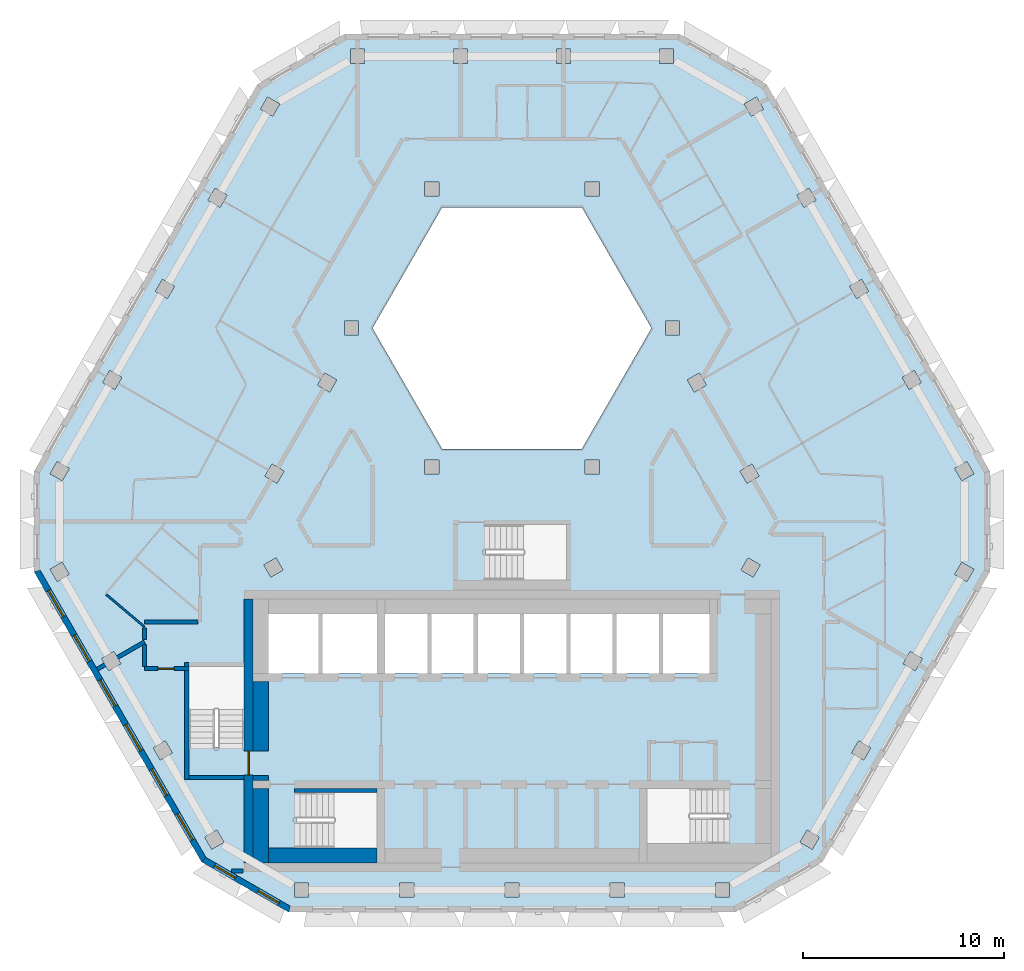
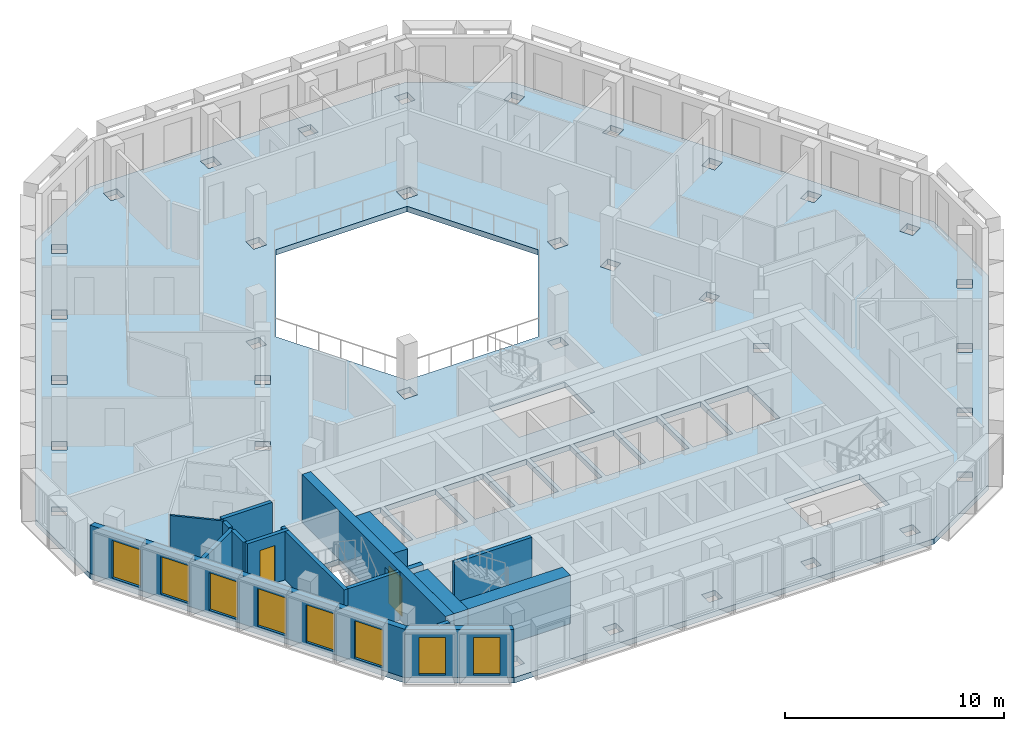
# One storey, part 2 of 16: 17 walls, 8 windows, 2 doors, 1 slab, 10 openings.
"""IFC4 building model written with IfcOpenShell, lengths in metres."""

from ifc_helpers import new_model, si_unit, direction, frame, frame_2d, origin, place, context, subcontext, project, spatial, polyline, rectangle, outline, extrude, material, layer, layer_set, type_object, element, fill, save


model = new_model("IFC4")

# Units and contexts
model_context = context("Model", 3, precision=1e-05, world=origin(), true_north=direction((0.0, 1.0)))
body_context = subcontext(model_context, "Body", "Model", "MODEL_VIEW")
ifc_project = project(units=[si_unit("LENGTHUNIT", "METRE"), si_unit("AREAUNIT", "SQUARE_METRE"), si_unit("VOLUMEUNIT", "CUBIC_METRE"), si_unit("PLANEANGLEUNIT", "RADIAN"), si_unit("MASSUNIT", "GRAM", prefix="KILO")], contexts=[model_context])

# Site, building, storey
site_placement = place(None, origin())
site = spatial("IfcSite", under=ifc_project, at=site_placement, CompositionType="ELEMENT")
building_placement = place(site_placement, origin())
building = spatial("IfcBuilding", under=site, at=building_placement, Name="Beryl Residences", CompositionType="ELEMENT")
storey_placement = place(building_placement, frame((0.0, 0.0, 226.800048828125)))
storey = spatial("IfcBuildingStorey", under=building, at=storey_placement, Name="L70", CompositionType="ELEMENT", Elevation=226.800048828125)

# Slab
ifc_material_1 = material(Name="Concrete C40/50", Category="concrete")
ifc_layer_1 = layer(ifc_material_1, 0.300048828125)
ifc_layer_set_1 = layer_set([ifc_layer_1], Name="SL7 PT floor slab 300 mm C40/50")
slab_type = type_object("IfcSlabType", Name="SL7 PT floor slab 300 mm C40/50", PredefinedType="FLOOR", material=ifc_layer_set_1)
slab_placement = place(storey_placement, frame((0.0, 0.0, -0.300048828125)))
element("IfcSlab", 1, at=slab_placement, inside=storey, type_object=slab_type, Name="L70 slab 1", PredefinedType="FLOOR", context=body_context, shape_type="SweptSolid", body=[
    extrude(outline(polyline([(23.72900390625, -4.10009765625), (15.4150390625, -18.5), (11.0849609375, -21.0), (-11.0849609375, -21.0), (-15.4150390625, -18.5), (-23.72900390625, -4.10009765625), (-23.72900390625, 0.89990234375), (-12.64404296875, 20.10009765625), (-8.31396484375, 22.60009765625), (8.31396484375, 22.60009765625), (12.64404296875, 20.10009765625), (23.72900390625, 0.89990234375), (23.72900390625, -4.10009765625)]), holes=[polyline([(21.97998046875, 1.028076171875), (22.330078125, 0.422119140625), (22.93603515625, 0.77197265625), (22.5859375, 1.3779296875), (21.97998046875, 1.028076171875)]), polyline([(21.97998046875, -4.22900390625), (22.5859375, -4.5791015625), (22.93603515625, -3.972900390625), (22.330078125, -3.623046875), (21.97998046875, -4.22900390625)]), polyline([(19.77099609375, -8.055908203125), (19.4208984375, -8.662109375), (20.027099609375, -9.011962890625), (20.376953125, -8.406005859375), (19.77099609375, -8.055908203125)]), polyline([(19.367919921875, 5.552978515625), (19.718017578125, 4.947021484375), (20.323974609375, 5.297119140625), (19.97412109375, 5.903076171875), (19.367919921875, 5.552978515625)]), polyline([(17.2109375, -12.489013671875), (16.861083984375, -13.094970703125), (17.467041015625, -13.445068359375), (17.81689453125, -12.839111328125), (17.2109375, -12.489013671875)]), polyline([(17.361083984375, 10.427978515625), (16.7548828125, 10.077880859375), (17.10498046875, 9.471923828125), (17.7109375, 9.822021484375), (17.361083984375, 10.427978515625)]), polyline([(15.258056640625, -17.27197265625), (14.652099609375, -16.922119140625), (14.302001953125, -17.528076171875), (14.907958984375, -17.8779296875), (15.258056640625, -17.27197265625)]), polyline([(14.14306640625, 14.60302734375), (14.492919921875, 13.9970703125), (15.09912109375, 14.346923828125), (14.7490234375, 14.952880859375), (14.14306640625, 14.60302734375)]), polyline([(11.531005859375, 19.1279296875), (11.881103515625, 18.52197265625), (12.487060546875, 18.8720703125), (12.136962890625, 19.47802734375), (11.531005859375, 19.1279296875)]), polyline([(11.717041015625, -3.406005859375), (11.366943359375, -4.011962890625), (11.972900390625, -4.362060546875), (12.322998046875, -3.756103515625), (11.717041015625, -3.406005859375)]), polyline([(11.919921875, 1.2529296875), (11.31396484375, 0.903076171875), (11.6640625, 0.297119140625), (12.27001953125, 0.64697265625), (11.919921875, 1.2529296875)]), polyline([(10.800048828125, -19.550048828125), (10.10009765625, -19.550048828125), (10.10009765625, -20.25), (10.800048828125, -20.25), (10.800048828125, -19.550048828125)]), polyline([(6.699951171875, -14.85009765625), (6.699951171875, -17.60009765625), (10.699951171875, -17.60009765625), (10.699951171875, -14.85009765625), (6.699951171875, -14.85009765625)]), polyline([(7.5, -9.14990234375), (9.800048828125, -9.14990234375), (9.800048828125, -6.199951171875), (7.5, -6.199951171875), (7.5, -9.14990234375)]), polyline([(8.700927734375, 5.427978515625), (9.051025390625, 4.822021484375), (9.656982421875, 5.172119140625), (9.306884765625, 5.778076171875), (8.700927734375, 5.427978515625)]), polyline([(8.31689453125, 7.64990234375), (8.31689453125, 8.35009765625), (7.616943359375, 8.35009765625), (7.616943359375, 7.64990234375), (8.31689453125, 7.64990234375)]), polyline([(7.3291015625, 21.85009765625), (7.3291015625, 21.14990234375), (8.029052734375, 21.14990234375), (8.029052734375, 21.85009765625), (7.3291015625, 21.85009765625)]), polyline([(5.199951171875, -9.14990234375), (7.300048828125, -9.14990234375), (7.300048828125, -6.199951171875), (5.199951171875, -6.199951171875), (5.199951171875, -9.14990234375)]), polyline([(3.464111328125, 14.0), (-3.464111328125, 14.0), (-6.92822265625, 8.0), (-3.464111328125, 2.0), (3.464111328125, 2.0), (6.92822265625, 8.0), (3.464111328125, 14.0)]), polyline([(4.875, -19.550048828125), (4.875, -20.25), (5.574951171875, -20.25), (5.574951171875, -19.550048828125), (4.875, -19.550048828125)]), polyline([(2.89990234375, -9.14990234375), (5.0, -9.14990234375), (5.0, -6.199951171875), (2.89990234375, -6.199951171875), (2.89990234375, -9.14990234375)]), polyline([(4.333984375, 15.25), (3.634033203125, 15.25), (3.634033203125, 14.550048828125), (4.333984375, 14.550048828125), (4.333984375, 15.25)]), polyline([(4.333984375, 1.449951171875), (3.634033203125, 1.449951171875), (3.634033203125, 0.75), (4.333984375, 0.75), (4.333984375, 1.449951171875)]), polyline([(2.2099609375, 21.85009765625), (2.2099609375, 21.14990234375), (2.909912109375, 21.14990234375), (2.909912109375, 21.85009765625), (2.2099609375, 21.85009765625)]), polyline([(2.699951171875, -9.14990234375), (2.699951171875, -6.199951171875), (0.60009765625, -6.199951171875), (0.60009765625, -9.14990234375), (2.699951171875, -9.14990234375)]), polyline([(2.699951171875, -4.5), (2.699951171875, -1.75), (-1.300048828125, -1.75), (-1.300048828125, -4.5), (2.699951171875, -4.5)]), polyline([(0.39990234375, -6.199951171875), (-1.699951171875, -6.199951171875), (-1.699951171875, -9.14990234375), (0.39990234375, -9.14990234375), (0.39990234375, -6.199951171875)]), polyline([(0.35009765625, -19.550048828125), (-0.35009765625, -19.550048828125), (-0.35009765625, -20.25), (0.35009765625, -20.25), (0.35009765625, -19.550048828125)]), polyline([(-4.0, -9.14990234375), (-1.89990234375, -9.14990234375), (-1.89990234375, -6.199951171875), (-4.0, -6.199951171875), (-4.0, -9.14990234375)]), polyline([(-2.908935546875, 21.14990234375), (-2.208984375, 21.14990234375), (-2.208984375, 21.85009765625), (-2.908935546875, 21.85009765625), (-2.908935546875, 21.14990234375)]), polyline([(-3.634033203125, 15.25), (-4.333984375, 15.25), (-4.333984375, 14.550048828125), (-3.634033203125, 14.550048828125), (-3.634033203125, 15.25)]), polyline([(-4.333984375, 1.449951171875), (-4.333984375, 0.75), (-3.634033203125, 0.75), (-3.634033203125, 1.449951171875), (-4.333984375, 1.449951171875)]), polyline([(-6.300048828125, -9.14990234375), (-4.199951171875, -9.14990234375), (-4.199951171875, -6.199951171875), (-6.300048828125, -6.199951171875), (-6.300048828125, -9.14990234375)]), polyline([(-4.875, -19.550048828125), (-5.574951171875, -19.550048828125), (-5.574951171875, -20.25), (-4.875, -20.25), (-4.875, -19.550048828125)]), polyline([(-9.39990234375, -6.199951171875), (-9.39990234375, -9.14990234375), (-6.699951171875, -9.14990234375), (-6.699951171875, -6.199951171875), (-9.39990234375, -6.199951171875)]), polyline([(-10.699951171875, -15.050048828125), (-10.699951171875, -17.800048828125), (-6.699951171875, -17.800048828125), (-6.699951171875, -15.050048828125), (-10.699951171875, -15.050048828125)]), polyline([(-8.028076171875, 21.14990234375), (-7.327880859375, 21.14990234375), (-7.327880859375, 21.85009765625), (-8.028076171875, 21.85009765625), (-8.028076171875, 21.14990234375)]), polyline([(-7.616943359375, 7.64990234375), (-7.616943359375, 8.35009765625), (-8.31689453125, 8.35009765625), (-8.31689453125, 7.64990234375), (-7.616943359375, 7.64990234375)]), polyline([(-9.051025390625, 4.822021484375), (-8.700927734375, 5.427978515625), (-9.306884765625, 5.778076171875), (-9.656982421875, 5.172119140625), (-9.051025390625, 4.822021484375)]), polyline([(-12.10009765625, -9.14990234375), (-9.60009765625, -9.14990234375), (-9.60009765625, -6.199951171875), (-12.10009765625, -6.199951171875), (-12.10009765625, -9.14990234375)]), polyline([(-10.800048828125, -19.550048828125), (-10.800048828125, -20.25), (-10.10009765625, -20.25), (-10.10009765625, -19.550048828125), (-10.800048828125, -19.550048828125)]), polyline([(-12.27001953125, 0.64697265625), (-11.6640625, 0.297119140625), (-11.31396484375, 0.903076171875), (-11.919921875, 1.2529296875), (-12.27001953125, 0.64697265625)]), polyline([(-11.972900390625, -4.361083984375), (-11.366943359375, -4.010986328125), (-11.717041015625, -3.405029296875), (-12.322998046875, -3.7548828125), (-11.972900390625, -4.361083984375)]), polyline([(-12.487060546875, 18.8720703125), (-11.881103515625, 18.52197265625), (-11.531005859375, 19.1279296875), (-12.136962890625, 19.47802734375), (-12.487060546875, 18.8720703125)]), polyline([(-13.300048828125, -8.800048828125), (-16.050048828125, -8.800048828125), (-16.050048828125, -12.800048828125), (-13.300048828125, -12.800048828125), (-13.300048828125, -8.800048828125)]), polyline([(-14.14306640625, 14.60302734375), (-14.7490234375, 14.952880859375), (-15.09912109375, 14.346923828125), (-14.492919921875, 13.9970703125), (-14.14306640625, 14.60302734375)]), polyline([(-14.302978515625, -17.527099609375), (-14.653076171875, -16.9208984375), (-15.259033203125, -17.27099609375), (-14.908935546875, -17.876953125), (-14.302978515625, -17.527099609375)]), polyline([(-17.10498046875, 9.471923828125), (-16.7548828125, 10.077880859375), (-17.361083984375, 10.427978515625), (-17.7109375, 9.822021484375), (-17.10498046875, 9.471923828125)]), polyline([(-17.2119140625, -12.488037109375), (-17.818115234375, -12.837890625), (-17.468017578125, -13.444091796875), (-16.862060546875, -13.093994140625), (-17.2119140625, -12.488037109375)]), polyline([(-19.718017578125, 4.947021484375), (-19.367919921875, 5.552978515625), (-19.97412109375, 5.903076171875), (-20.323974609375, 5.297119140625), (-19.718017578125, 4.947021484375)]), polyline([(-19.4208984375, -8.660888671875), (-19.77099609375, -8.054931640625), (-20.376953125, -8.405029296875), (-20.027099609375, -9.010986328125), (-19.4208984375, -8.660888671875)]), polyline([(-22.330078125, 0.422119140625), (-21.97998046875, 1.028076171875), (-22.5859375, 1.3779296875), (-22.93603515625, 0.77197265625), (-22.330078125, 0.422119140625)]), polyline([(-21.98095703125, -4.22802734375), (-22.3310546875, -3.6220703125), (-22.93701171875, -3.971923828125), (-22.5869140625, -4.577880859375), (-21.98095703125, -4.22802734375)])]), origin(), (0.0, 0.0, 1.0), 0.300048828125),
])

# Wall, openings, windows
ifc_material_2 = material(Name="Composite metal panel with mineral wool insulation")
ifc_layer_2 = layer(ifc_material_2, 0.300048828125)
ifc_layer_set_2 = layer_set([ifc_layer_2], Name="ES1 pale metal composite panel wall 300 mm")
wall_type_1 = type_object("IfcWallType", Name="ES1 pale metal composite panel wall 300 mm", PredefinedType="SOLIDWALL", material=ifc_layer_set_2)
wall_1_placement = place(storey_placement, frame((-23.59912109375, -4.02490234375, 0.0), z_axis=(0.0, 0.0, 1.0), x_axis=(0.500012653391, -0.866018098222, 0.0)))
wall_1 = element("IfcWall", 2, at=wall_1_placement, inside=storey, type_object=wall_type_1, Name="ES1 external wall L70 SW", PredefinedType="SOLIDWALL", context=body_context, shape_type="SweptSolid", body=[
    extrude(outline(polyline([(0.0, -0.14990234375), (16.6279296875, -0.14990234375), (16.547607421875, 0.14990234375), (0.080322265625, 0.14990234375), (0.0, -0.14990234375)])), origin(), (0.0, 0.0, 1.0), 2.699951171875),
])
opening_1_placement = place(wall_1_placement, frame((1.1640625, 0.0, 0.14990234375)))
opening_1 = element("IfcOpeningElement", 3, at=opening_1_placement, cuts=wall_1, Name="Opening W1", PredefinedType="OPENING", context=body_context, shape_type="SweptSolid", body=[
    extrude(rectangle(XDim=1.5, YDim=2.10009765625, at=frame_2d((0.75, 1.050048828125))), frame((0.0, 0.159912109375, 0.0), z_axis=(0.0, -1.0, 0.0), x_axis=(1.0, 0.0, 0.0)), (0.0, 0.0, 1.0), 0.320068359375),
])
opening_2_placement = place(wall_1_placement, frame((3.72412109375, 0.0, 0.14990234375)))
opening_2 = element("IfcOpeningElement", 4, at=opening_2_placement, cuts=wall_1, Name="Opening W1", PredefinedType="OPENING", context=body_context, shape_type="SweptSolid", body=[
    extrude(rectangle(XDim=1.5, YDim=2.10009765625, at=frame_2d((0.75, 1.050048828125))), frame((0.0, 0.159912109375, 0.0), z_axis=(0.0, -1.0, 0.0), x_axis=(1.0, 0.0, 0.0)), (0.0, 0.0, 1.0), 0.320068359375),
])
opening_3_placement = place(wall_1_placement, frame((6.282958984375, 0.0, 0.14990234375)))
opening_3 = element("IfcOpeningElement", 5, at=opening_3_placement, cuts=wall_1, Name="Opening W1", PredefinedType="OPENING", context=body_context, shape_type="SweptSolid", body=[
    extrude(rectangle(XDim=1.5, YDim=2.10009765625, at=frame_2d((0.75, 1.050048828125))), frame((0.0, 0.159912109375, 0.0), z_axis=(0.0, -1.0, 0.0), x_axis=(1.0, 0.0, 0.0)), (0.0, 0.0, 1.0), 0.320068359375),
])
opening_4_placement = place(wall_1_placement, frame((8.843017578125, 0.0, 0.14990234375)))
opening_4 = element("IfcOpeningElement", 6, at=opening_4_placement, cuts=wall_1, Name="Opening W1", PredefinedType="OPENING", context=body_context, shape_type="SweptSolid", body=[
    extrude(rectangle(XDim=1.5, YDim=2.10009765625, at=frame_2d((0.75, 1.050048828125))), frame((0.0, 0.159912109375, 0.0), z_axis=(0.0, -1.0, 0.0), x_axis=(1.0, 0.0, 0.0)), (0.0, 0.0, 1.0), 0.320068359375),
])
opening_5_placement = place(wall_1_placement, frame((11.403076171875, 0.0, 0.14990234375)))
opening_5 = element("IfcOpeningElement", 7, at=opening_5_placement, cuts=wall_1, Name="Opening W1", PredefinedType="OPENING", context=body_context, shape_type="SweptSolid", body=[
    extrude(rectangle(XDim=1.5, YDim=2.10009765625, at=frame_2d((0.75, 1.050048828125))), frame((0.0, 0.159912109375, 0.0), z_axis=(0.0, -1.0, 0.0), x_axis=(1.0, 0.0, 0.0)), (0.0, 0.0, 1.0), 0.320068359375),
])
opening_6_placement = place(wall_1_placement, frame((13.9619140625, 0.0, 0.14990234375)))
opening_6 = element("IfcOpeningElement", 8, at=opening_6_placement, cuts=wall_1, Name="Opening W1", PredefinedType="OPENING", context=body_context, shape_type="SweptSolid", body=[
    extrude(rectangle(XDim=1.5, YDim=2.10009765625, at=frame_2d((0.75, 1.050048828125))), frame((0.0, 0.159912109375, 0.0), z_axis=(0.0, -1.0, 0.0), x_axis=(1.0, 0.0, 0.0)), (0.0, 0.0, 1.0), 0.320068359375),
])
ifc_material_3 = material(Name="Aluminium and clear glass", Category="aluminium")
window_type_1 = type_object("IfcWindowType", Name="W1 cell window 1500 x 2100 mm", PartitioningType="SINGLE_PANEL", PredefinedType="WINDOW", material=ifc_material_3)
window_1_placement = place(opening_1_placement, origin())
window_1 = element("IfcWindow", 9, at=window_1_placement, inside=storey, type_object=window_type_1, Name="W1 window L70 SW 1", OverallHeight=2.10009765625, OverallWidth=1.5, PartitioningType="SINGLE_PANEL", PredefinedType="WINDOW", context=body_context, shape_type="SweptSolid", body=[
    extrude(rectangle(XDim=1.5, YDim=2.10009765625, at=frame_2d((0.75, 1.050048828125))), frame((0.0, 0.030029296875, 0.0), z_axis=(0.0, -1.0, 0.0), x_axis=(1.0, 0.0, 0.0)), (0.0, 0.0, 1.0), 0.06005859375),
])
fill(opening_1, window_1)
window_2_placement = place(opening_2_placement, origin())
window_2 = element("IfcWindow", 10, at=window_2_placement, inside=storey, type_object=window_type_1, Name="W1 window L70 SW 2", OverallHeight=2.10009765625, OverallWidth=1.5, PartitioningType="SINGLE_PANEL", PredefinedType="WINDOW", context=body_context, shape_type="SweptSolid", body=[
    extrude(rectangle(XDim=1.5, YDim=2.10009765625, at=frame_2d((0.75, 1.050048828125))), frame((0.0, 0.030029296875, 0.0), z_axis=(0.0, -1.0, 0.0), x_axis=(1.0, 0.0, 0.0)), (0.0, 0.0, 1.0), 0.06005859375),
])
fill(opening_2, window_2)
window_3_placement = place(opening_3_placement, origin())
window_3 = element("IfcWindow", 11, at=window_3_placement, inside=storey, type_object=window_type_1, Name="W1 window L70 SW 3", OverallHeight=2.10009765625, OverallWidth=1.5, PartitioningType="SINGLE_PANEL", PredefinedType="WINDOW", context=body_context, shape_type="SweptSolid", body=[
    extrude(rectangle(XDim=1.5, YDim=2.10009765625, at=frame_2d((0.75, 1.050048828125))), frame((0.0, 0.030029296875, 0.0), z_axis=(0.0, -1.0, 0.0), x_axis=(1.0, 0.0, 0.0)), (0.0, 0.0, 1.0), 0.06005859375),
])
fill(opening_3, window_3)
window_4_placement = place(opening_4_placement, origin())
window_4 = element("IfcWindow", 12, at=window_4_placement, inside=storey, type_object=window_type_1, Name="W1 window L70 SW 4", OverallHeight=2.10009765625, OverallWidth=1.5, PartitioningType="SINGLE_PANEL", PredefinedType="WINDOW", context=body_context, shape_type="SweptSolid", body=[
    extrude(rectangle(XDim=1.5, YDim=2.10009765625, at=frame_2d((0.75, 1.050048828125))), frame((0.0, 0.030029296875, 0.0), z_axis=(0.0, -1.0, 0.0), x_axis=(1.0, 0.0, 0.0)), (0.0, 0.0, 1.0), 0.06005859375),
])
fill(opening_4, window_4)
window_5_placement = place(opening_5_placement, origin())
window_5 = element("IfcWindow", 13, at=window_5_placement, inside=storey, type_object=window_type_1, Name="W1 window L70 SW 5", OverallHeight=2.10009765625, OverallWidth=1.5, PartitioningType="SINGLE_PANEL", PredefinedType="WINDOW", context=body_context, shape_type="SweptSolid", body=[
    extrude(rectangle(XDim=1.5, YDim=2.10009765625, at=frame_2d((0.75, 1.050048828125))), frame((0.0, 0.030029296875, 0.0), z_axis=(0.0, -1.0, 0.0), x_axis=(1.0, 0.0, 0.0)), (0.0, 0.0, 1.0), 0.06005859375),
])
fill(opening_5, window_5)
window_6_placement = place(opening_6_placement, origin())
window_6 = element("IfcWindow", 14, at=window_6_placement, inside=storey, type_object=window_type_1, Name="W1 window L70 SW 6", OverallHeight=2.10009765625, OverallWidth=1.5, PartitioningType="SINGLE_PANEL", PredefinedType="WINDOW", context=body_context, shape_type="SweptSolid", body=[
    extrude(rectangle(XDim=1.5, YDim=2.10009765625, at=frame_2d((0.75, 1.050048828125))), frame((0.0, 0.030029296875, 0.0), z_axis=(0.0, -1.0, 0.0), x_axis=(1.0, 0.0, 0.0)), (0.0, 0.0, 1.0), 0.06005859375),
])
fill(opening_6, window_6)

wall_2_placement = place(storey_placement, frame((-15.340087890625, -18.3701171875, 0.0), z_axis=(0.0, 0.0, 1.0), x_axis=(0.866022959057, -0.500004234368, 0.0)))
wall_2 = element("IfcWall", 15, at=wall_2_placement, inside=storey, type_object=wall_type_1, Name="ES1 external wall L70 SW-S", PredefinedType="SOLIDWALL", context=body_context, shape_type="SweptSolid", body=[
    extrude(outline(polyline([(0.0, -0.14990234375), (5.0, -0.14990234375), (4.919677734375, 0.14990234375), (0.080322265625, 0.14990234375), (0.0, -0.14990234375)])), origin(), (0.0, 0.0, 1.0), 2.699951171875),
])
opening_7_placement = place(wall_2_placement, frame((0.64990234375, 0.0, 0.14990234375)))
opening_7 = element("IfcOpeningElement", 16, at=opening_7_placement, cuts=wall_2, Name="Opening W2", PredefinedType="OPENING", context=body_context, shape_type="SweptSolid", body=[
    extrude(rectangle(XDim=1.199951171875, YDim=2.10009765625, at=frame_2d((0.60009765625, 1.050048828125))), frame((0.0, 0.159912109375, 0.0), z_axis=(0.0, -1.0, 0.0), x_axis=(1.0, 0.0, 0.0)), (0.0, 0.0, 1.0), 0.320068359375),
])
opening_8_placement = place(wall_2_placement, frame((3.14990234375, 0.0, 0.14990234375)))
opening_8 = element("IfcOpeningElement", 17, at=opening_8_placement, cuts=wall_2, Name="Opening W2", PredefinedType="OPENING", context=body_context, shape_type="SweptSolid", body=[
    extrude(rectangle(XDim=1.199951171875, YDim=2.10009765625, at=frame_2d((0.60009765625, 1.050048828125))), frame((0.0, 0.159912109375, 0.0), z_axis=(0.0, -1.0, 0.0), x_axis=(1.0, 0.0, 0.0)), (0.0, 0.0, 1.0), 0.320068359375),
])
ifc_material_4 = material(Name="Aluminium and clear glass", Category="aluminium")
window_type_2 = type_object("IfcWindowType", Name="W2 chamfer window 1200 x 2100 mm", PartitioningType="SINGLE_PANEL", PredefinedType="WINDOW", material=ifc_material_4)
window_7_placement = place(opening_7_placement, origin())
window_7 = element("IfcWindow", 18, at=window_7_placement, inside=storey, type_object=window_type_2, Name="W2 window L70 SW-S 1", OverallHeight=2.10009765625, OverallWidth=1.199951171875, PartitioningType="SINGLE_PANEL", PredefinedType="WINDOW", context=body_context, shape_type="SweptSolid", body=[
    extrude(rectangle(XDim=1.199951171875, YDim=2.10009765625, at=frame_2d((0.60009765625, 1.050048828125))), frame((0.0, 0.030029296875, 0.0), z_axis=(0.0, -1.0, 0.0), x_axis=(1.0, 0.0, 0.0)), (0.0, 0.0, 1.0), 0.06005859375),
])
fill(opening_7, window_7)
window_8_placement = place(opening_8_placement, origin())
window_8 = element("IfcWindow", 19, at=window_8_placement, inside=storey, type_object=window_type_2, Name="W2 window L70 SW-S 2", OverallHeight=2.10009765625, OverallWidth=1.199951171875, PartitioningType="SINGLE_PANEL", PredefinedType="WINDOW", context=body_context, shape_type="SweptSolid", body=[
    extrude(rectangle(XDim=1.199951171875, YDim=2.10009765625, at=frame_2d((0.60009765625, 1.050048828125))), frame((0.0, 0.030029296875, 0.0), z_axis=(0.0, -1.0, 0.0), x_axis=(1.0, 0.0, 0.0)), (0.0, 0.0, 1.0), 0.06005859375),
])
fill(opening_8, window_8)

# Walls
ifc_material_5 = material(Name="Gypsum board partition on steel studs", Category="steel")
ifc_layer_3 = layer(ifc_material_5, 0.10009765625)
ifc_layer_set_3 = layer_set([ifc_layer_3], Name="PT1 partition 100 mm gypsum board on steel studs")
wall_type_2 = type_object("IfcWallType", Name="PT1 partition 100 mm gypsum board on steel studs", PredefinedType="PARTITIONING", material=ifc_layer_set_3)
wall_3_placement = place(storey_placement, frame((-20.14990234375, -5.222900390625, 0.0), z_axis=(0.0, 0.0, 1.0), x_axis=(0.763471868926, -0.645841083672, 0.0)))
element("IfcWall", 20, at=wall_3_placement, inside=storey, type_object=wall_type_2, Name="Wall PT1 L70 019", PredefinedType="PARTITIONING", context=body_context, shape_type="SweptSolid", body=[
    extrude(rectangle(XDim=2.488525390625, YDim=0.10009765625, at=frame_2d((1.244140625, 0.0))), origin(), (0.0, 0.0, 1.0), 2.699951171875),
])
ifc_material_6 = material(Name="Concrete masonry", Category="masonry")
ifc_layer_4 = layer(ifc_material_6, 0.25)
ifc_layer_set_4 = layer_set([ifc_layer_4], Name="PT13-250 lobby wall 250 mm")
wall_type_3 = type_object("IfcWallType", Name="PT13-250 lobby wall 250 mm", PredefinedType="PARTITIONING", material=ifc_layer_set_4)
wall_4_placement = place(storey_placement, frame((-12.85009765625, -14.324951171875, 0.0), z_axis=(0.0, 0.0, 1.0), x_axis=(1.0, 0.0, 0.0)))
element("IfcWall", 21, at=wall_4_placement, inside=storey, type_object=wall_type_3, Name="Lobby wall 05", PredefinedType="PARTITIONING", context=body_context, shape_type="SweptSolid", body=[
    extrude(rectangle(XDim=0.75, YDim=0.25, at=frame_2d((0.375, 0.0))), origin(), (0.0, 0.0, 1.0), 2.699951171875),
])
ifc_material_7 = material(Name="Concrete masonry", Category="masonry")
ifc_layer_5 = layer(ifc_material_7, 0.75)
ifc_layer_set_5 = layer_set([ifc_layer_5], Name="PT13-750 lobby wall 750 mm")
wall_type_4 = type_object("IfcWallType", Name="PT13-750 lobby wall 750 mm", PredefinedType="PARTITIONING", material=ifc_layer_set_5)
wall_5_placement = place(storey_placement, frame((-12.47509765625, -13.0, 0.0), z_axis=(0.0, 0.0, 1.0), x_axis=(0.0, 1.0, 0.0)))
element("IfcWall", 22, at=wall_5_placement, inside=storey, type_object=wall_type_4, Name="Lobby wall 06", PredefinedType="PARTITIONING", context=body_context, shape_type="SweptSolid", body=[
    extrude(rectangle(XDim=3.449951171875, YDim=0.75, at=frame_2d((1.72509765625, 0.0))), origin(), (0.0, 0.0, 1.0), 2.699951171875),
])
ifc_material_8 = material(Name="Acoustic double stud gypsum board wall")
ifc_layer_6 = layer(ifc_material_8, 0.199951171875)
ifc_layer_set_6 = layer_set([ifc_layer_6], Name="PT3 party wall 200 mm acoustic double stud")
wall_type_5 = type_object("IfcWallType", Name="PT3 party wall 200 mm acoustic double stud", PredefinedType="PARTITIONING", material=ifc_layer_set_6)
wall_6_placement = place(storey_placement, frame((-13.9150390625, -18.949951171875, 0.0), z_axis=(0.0, 0.0, 1.0), x_axis=(1.0, 0.0, 0.0)))
element("IfcWall", 23, at=wall_6_placement, inside=storey, type_object=wall_type_5, Name="Wall PT3 L70 009", PredefinedType="PARTITIONING", context=body_context, shape_type="SweptSolid", body=[
    extrude(rectangle(XDim=0.554931640625, YDim=0.199951171875, at=frame_2d((0.27734375, 0.0))), origin(), (0.0, 0.0, 1.0), 2.699951171875),
])
wall_7_placement = place(storey_placement, frame((-20.592041015625, -8.93310546875, 0.0), z_axis=(0.0, 0.0, 1.0), x_axis=(0.866045775131, 0.499964714133, 0.0)))
element("IfcWall", 24, at=wall_7_placement, inside=storey, type_object=wall_type_5, Name="Wall PT3 L70 016", PredefinedType="PARTITIONING", context=body_context, shape_type="SweptSolid", body=[
    extrude(rectangle(XDim=2.704345703125, YDim=0.199951171875, at=frame_2d((1.35205078125, 0.0))), origin(), (0.0, 0.0, 1.0), 2.699951171875),
])
ifc_material_9 = material(Name="Double stud gypsum board wall")
ifc_layer_7 = layer(ifc_material_9, 0.199951171875)
ifc_layer_set_7 = layer_set([ifc_layer_7], Name="PT4 corridor wall 200 mm double stud")
wall_type_6 = type_object("IfcWallType", Name="PT4 corridor wall 200 mm double stud", PredefinedType="PARTITIONING", material=ifc_layer_set_7)
wall_8_placement = place(storey_placement, frame((-18.25, -7.696044921875, 0.0), z_axis=(0.0, 0.0, 1.0), x_axis=(0.0, -1.0, 0.0)))
element("IfcWall", 25, at=wall_8_placement, inside=storey, type_object=wall_type_6, Name="Wall PT4 L70 008", PredefinedType="PARTITIONING", context=body_context, shape_type="SweptSolid", body=[
    extrude(rectangle(XDim=1.10302734375, YDim=0.199951171875, at=frame_2d((0.551513671875, 0.0))), origin(), (0.0, 0.0, 1.0), 2.699951171875),
])
wall_9_placement = place(storey_placement, frame((-18.2490234375, -6.60009765625, 0.0), z_axis=(0.0, 0.0, 1.0), x_axis=(1.0, 0.0, 0.0)))
element("IfcWall", 26, at=wall_9_placement, inside=storey, type_object=wall_type_6, Name="Wall PT4 L70 011", PredefinedType="PARTITIONING", context=body_context, shape_type="SweptSolid", body=[
    extrude(rectangle(XDim=2.64794921875, YDim=0.199951171875, at=frame_2d((1.323974609375, 0.0))), origin(), (0.0, 0.0, 1.0), 2.699951171875),
])

# Wall, opening, door
wall_10_placement = place(storey_placement, frame((-18.2490234375, -8.89990234375, 0.0), z_axis=(0.0, 0.0, 1.0), x_axis=(1.0, 0.0, 0.0)))
wall_10 = element("IfcWall", 27, at=wall_10_placement, inside=storey, type_object=wall_type_6, Name="Wall PT4 L70 012", PredefinedType="PARTITIONING", context=body_context, shape_type="SweptSolid", body=[
    extrude(rectangle(XDim=2.198974609375, YDim=0.199951171875, at=frame_2d((1.099609375, 0.0))), origin(), (0.0, 0.0, 1.0), 2.699951171875),
])
opening_9_placement = place(wall_10_placement, frame((0.6689453125, 0.0, 0.0)))
opening_9 = element("IfcOpeningElement", 28, at=opening_9_placement, cuts=wall_10, Name="Opening D1936", PredefinedType="OPENING", context=body_context, shape_type="SweptSolid", body=[
    extrude(rectangle(XDim=0.800048828125, YDim=2.10009765625, at=frame_2d((0.39990234375, 1.050048828125))), frame((0.0, 0.10986328125, 0.0), z_axis=(0.0, -1.0, 0.0), x_axis=(1.0, 0.0, 0.0)), (0.0, 0.0, 1.0), 0.219970703125),
])
ifc_material_10 = material(Name="Timber door leaf", Category="wood")
door_type_1 = type_object("IfcDoorType", Name="D3 bathroom door 800 x 2100 mm", OperationType="SINGLE_SWING_LEFT", PredefinedType="DOOR", material=ifc_material_10)
door_1_placement = place(opening_9_placement, origin())
door_1 = element("IfcDoor", 29, at=door_1_placement, inside=storey, type_object=door_type_1, Name="Door D1936 L70 001", OperationType="SINGLE_SWING_RIGHT", OverallHeight=2.10009765625, OverallWidth=0.800048828125, PredefinedType="DOOR", context=body_context, shape_type="SweptSolid", body=[
    extrude(rectangle(XDim=0.800048828125, YDim=2.10009765625, at=frame_2d((0.39990234375, 1.050048828125))), frame((0.0, 0.02490234375, 0.0), z_axis=(0.0, -1.0, 0.0), x_axis=(1.0, 0.0, 0.0)), (0.0, 0.0, 1.0), 0.050048828125),
])
fill(opening_9, door_1)

# Walls
wall_11_placement = place(storey_placement, frame((-18.25, -7.465087890625, 0.0), z_axis=(0.0, 0.0, 1.0), x_axis=(0.0, 1.0, 0.0)))
element("IfcWall", 30, at=wall_11_placement, inside=storey, type_object=wall_type_6, Name="Wall PT4 L70 031", PredefinedType="PARTITIONING", context=body_context, shape_type="SweptSolid", body=[
    extrude(rectangle(XDim=0.570068359375, YDim=0.199951171875, at=frame_2d((0.28515625, 0.0))), origin(), (0.0, 0.0, 1.0), 2.699951171875),
])
ifc_material_11 = material(Name="Concrete C40/50", Category="concrete")
ifc_layer_8 = layer(ifc_material_11, 0.199951171875)
ifc_layer_set_8 = layer_set([ifc_layer_8], Name="PT5 stair enclosure wall 200 mm reinforced concrete C40/50")
wall_type_7 = type_object("IfcWallType", Name="PT5 stair enclosure wall 200 mm reinforced concrete C40/50", PredefinedType="SOLIDWALL", material=ifc_layer_set_8)
wall_12_placement = place(storey_placement, frame((-16.14990234375, -14.39990234375, 0.0), z_axis=(0.0, 0.0, 1.0), x_axis=(0.0, 1.0, 0.0)))
element("IfcWall", 31, at=wall_12_placement, inside=storey, type_object=wall_type_7, Name="Stair wall 01", PredefinedType="SOLIDWALL", context=body_context, shape_type="SweptSolid", body=[
    extrude(rectangle(XDim=5.7998046875, YDim=0.199951171875, at=frame_2d((2.89990234375, 0.0))), origin(), (0.0, 0.0, 1.0), 2.699951171875),
])
wall_13_placement = place(storey_placement, frame((-16.050048828125, -14.300048828125, 0.0), z_axis=(0.0, 0.0, 1.0), x_axis=(1.0, 0.0, 0.0)))
element("IfcWall", 32, at=wall_13_placement, inside=storey, type_object=wall_type_7, Name="Stair wall 02", PredefinedType="SOLIDWALL", context=body_context, shape_type="SweptSolid", body=[
    extrude(rectangle(XDim=2.75, YDim=0.199951171875, at=frame_2d((1.375, 0.0))), origin(), (0.0, 0.0, 1.0), 2.699951171875),
])
wall_14_placement = place(storey_placement, frame((-10.800048828125, -14.949951171875, 0.0), z_axis=(0.0, 0.0, 1.0), x_axis=(1.0, 0.0, 0.0)))
element("IfcWall", 33, at=wall_14_placement, inside=storey, type_object=wall_type_7, Name="Stair wall 10", PredefinedType="SOLIDWALL", context=body_context, shape_type="SweptSolid", body=[
    extrude(rectangle(XDim=4.10009765625, YDim=0.199951171875, at=frame_2d((2.050048828125, 0.0))), origin(), (0.0, 0.0, 1.0), 2.699951171875),
])
ifc_material_12 = material(Name="Concrete C40/50", Category="concrete")
ifc_layer_9 = layer(ifc_material_12, 0.75)
ifc_layer_set_9 = layer_set([ifc_layer_9], Name="PT5-750 stair enclosure wall 750 mm")
wall_type_8 = type_object("IfcWallType", Name="PT5-750 stair enclosure wall 750 mm", PredefinedType="SOLIDWALL", material=ifc_layer_set_9)
wall_15_placement = place(storey_placement, frame((-12.47509765625, -18.550048828125, 0.0), z_axis=(0.0, 0.0, 1.0), x_axis=(0.0, 1.0, 0.0)))
element("IfcWall", 34, at=wall_15_placement, inside=storey, type_object=wall_type_8, Name="Stair wall 04", PredefinedType="SOLIDWALL", context=body_context, shape_type="SweptSolid", body=[
    extrude(rectangle(XDim=3.699951171875, YDim=0.75, at=frame_2d((1.85009765625, 0.0))), origin(), (0.0, 0.0, 1.0), 2.699951171875),
])
wall_16_placement = place(storey_placement, frame((-12.10009765625, -18.175048828125, 0.0), z_axis=(0.0, 0.0, 1.0), x_axis=(1.0, 0.0, 0.0)))
element("IfcWall", 35, at=wall_16_placement, inside=storey, type_object=wall_type_8, Name="Stair wall 08", PredefinedType="SOLIDWALL", context=body_context, shape_type="SweptSolid", body=[
    extrude(rectangle(XDim=5.400146484375, YDim=0.75, at=frame_2d((2.7001953125, 0.0))), origin(), (0.0, 0.0, 1.0), 2.699951171875),
])

# Wall, opening, door
ifc_material_13 = material(Name="Concrete C50/60", Category="concrete")
ifc_layer_10 = layer(ifc_material_13, 0.449951171875)
ifc_layer_set_10 = layer_set([ifc_layer_10], Name="SW5 core outer wall 450 mm C50/60")
wall_type_9 = type_object("IfcWallType", Name="SW5 core outer wall 450 mm C50/60", PredefinedType="SHEAR", material=ifc_layer_set_10)
wall_17_placement = place(storey_placement, frame((-13.074951171875, -18.550048828125, 0.0), z_axis=(0.0, 0.0, 1.0), x_axis=(0.0, 1.0, 0.0)))
wall_17 = element("IfcWall", 36, at=wall_17_placement, inside=storey, type_object=wall_type_9, Name="Core wall W L70", PredefinedType="SHEAR", context=body_context, shape_type="SweptSolid", body=[
    extrude(rectangle(XDim=13.10009765625, YDim=0.449951171875, at=frame_2d((6.550048828125, 0.0))), origin(), (0.0, 0.0, 1.0), 2.699951171875),
])
opening_10_placement = place(wall_17_placement, frame((4.35009765625, 0.0, 0.0)))
opening_10 = element("IfcOpeningElement", 37, at=opening_10_placement, cuts=wall_17, Name="Opening SD-2", PredefinedType="OPENING", context=body_context, shape_type="SweptSolid", body=[
    extrude(rectangle(XDim=1.199951171875, YDim=2.10009765625, at=frame_2d((0.60009765625, 1.050048828125))), frame((0.0, 0.23486328125, 0.0), z_axis=(0.0, -1.0, 0.0), x_axis=(1.0, 0.0, 0.0)), (0.0, 0.0, 1.0), 0.469970703125),
])
ifc_material_14 = material(Name="Steel door leaf in steel frame", Category="steel")
door_type_2 = type_object("IfcDoorType", Name="D4 stair door 1200 x 2100 mm", OperationType="SINGLE_SWING_LEFT", PredefinedType="DOOR", material=ifc_material_14)
door_2_placement = place(opening_10_placement, origin())
door_2 = element("IfcDoor", 38, at=door_2_placement, inside=storey, type_object=door_type_2, Name="Door SD-2 L70 001", OperationType="SINGLE_SWING_RIGHT", OverallHeight=2.10009765625, OverallWidth=1.199951171875, PredefinedType="DOOR", context=body_context, shape_type="SweptSolid", body=[
    extrude(rectangle(XDim=1.199951171875, YDim=2.10009765625, at=frame_2d((0.60009765625, 1.050048828125))), frame((0.0, 0.02490234375, 0.0), z_axis=(0.0, -1.0, 0.0), x_axis=(1.0, 0.0, 0.0)), (0.0, 0.0, 1.0), 0.050048828125),
])
fill(opening_10, door_2)

save(model, "model.ifc")
